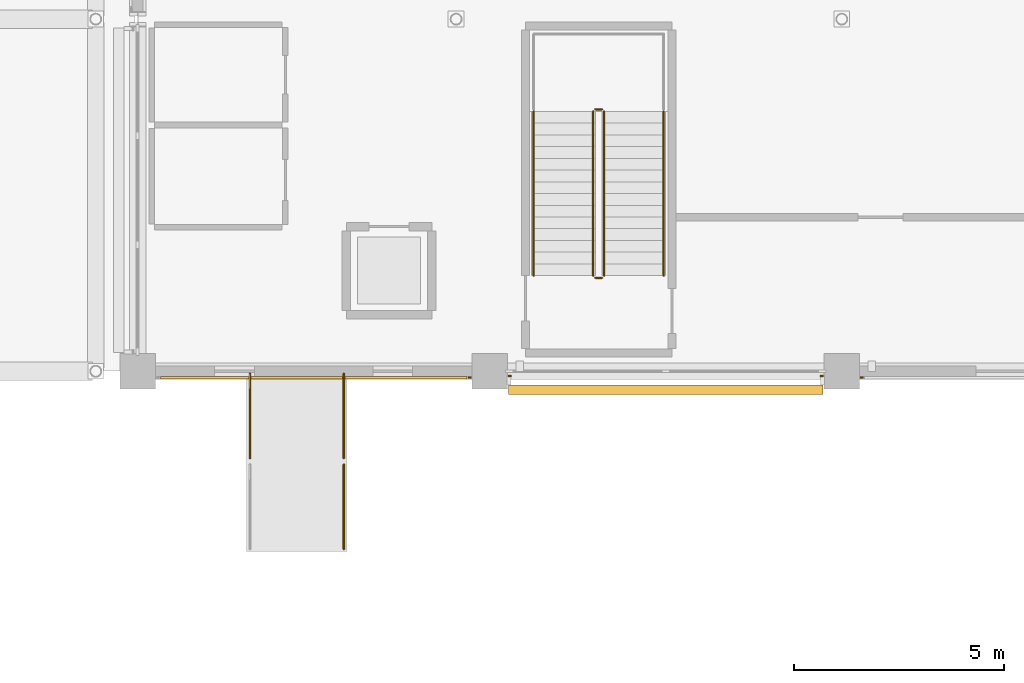
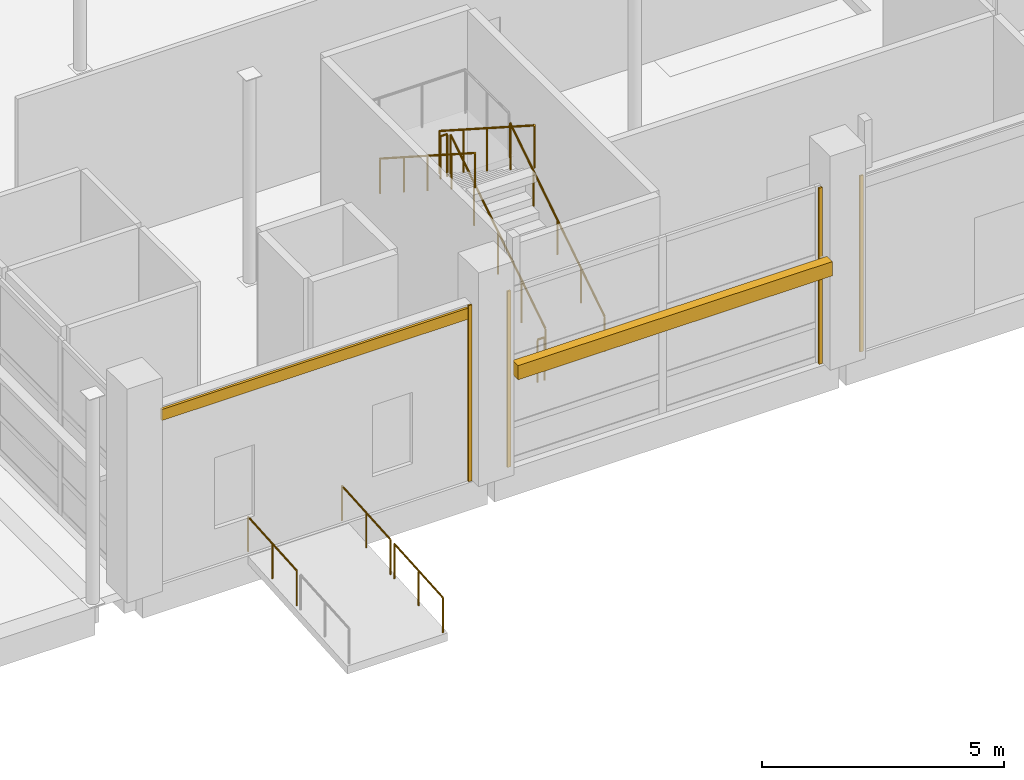
# One storey, part 117 of 140: 9 railings, 5 coverings, 1 shading device.
"""IFC4 building model written with IfcOpenShell, lengths in metres."""

from ifc_helpers import new_model, si_unit, direction, frame, origin, origin_2d, place, context, subcontext, project, spatial, rectangle, circle, extrude, material, layer, layer_set, type_object, element, save


model = new_model("IFC4")

# Units and contexts
model_context = context("Model", 3, precision=1e-05, world=origin(), true_north=direction((0.0, 1.0)))
body_context = subcontext(model_context, "Body", "Model", "MODEL_VIEW")
ifc_project = project(units=[si_unit("LENGTHUNIT", "METRE"), si_unit("AREAUNIT", "SQUARE_METRE"), si_unit("VOLUMEUNIT", "CUBIC_METRE"), si_unit("PLANEANGLEUNIT", "RADIAN"), si_unit("MASSUNIT", "GRAM", prefix="KILO")], contexts=[model_context])

# Site, building, storey
site_placement = place(None, origin())
site = spatial("IfcSite", under=ifc_project, at=site_placement, CompositionType="ELEMENT")
building_placement = place(site_placement, origin())
building = spatial("IfcBuilding", under=site, at=building_placement, Name="Telukmera Botanical Conservatory", CompositionType="ELEMENT")
storey_placement = place(building_placement, origin())
storey = spatial("IfcBuildingStorey", under=building, at=storey_placement, Name="L00", CompositionType="ELEMENT", Elevation=0.0)

# Railings
ifc_material_1 = material(Name="Brushed stainless steel grade 316", Category="steel")
railing_type_1 = type_object("IfcRailingType", Name="Accessible Boulevard Ramp Tubular Handrail 900", PredefinedType="HANDRAIL", material=ifc_material_1)
railing_1_placement = place(storey_placement, frame((120.280029296875, 15.530029296875, -0.144287109375)))
element("IfcRailing", 1, at=railing_1_placement, inside=storey, type_object=railing_type_1, Name="Conservatory West Accessible Approach Ramp Handrail W-HI", PredefinedType="HANDRAIL", context=body_context, shape_type="SweptSolid", body=[
    extrude(circle(Radius=0.02099609375, at=origin_2d()), frame((0.0, 0.0, 0.87890625), z_axis=(0.0, 0.997578425629, 0.069550591074), x_axis=(-1.0, 0.0, 0.0)), (0.0, 0.0, 1.0), 2.014892578125),
    extrude(circle(Radius=0.01904296875, at=origin_2d()), origin(), (0.0, 0.0, 1.0), 0.85791015625),
    extrude(circle(Radius=0.01904296875, at=origin_2d()), frame((0.0, 1.0048828125, 0.070068359375)), (0.0, 0.0, 1.0), 0.85791015625),
    extrude(circle(Radius=0.01904296875, at=origin_2d()), frame((0.0, 2.010009765625, 0.14013671875)), (0.0, 0.0, 1.0), 0.85791015625),
])
railing_2_placement = place(storey_placement, frame((122.52001953125, 13.360107421875, -0.2958984375)))
element("IfcRailing", 2, at=railing_2_placement, inside=storey, type_object=railing_type_1, Name="Conservatory West Accessible Approach Ramp Handrail E-LO", PredefinedType="HANDRAIL", context=body_context, shape_type="SweptSolid", body=[
    extrude(circle(Radius=0.02099609375, at=origin_2d()), frame((0.0, 0.0, 0.87890625), z_axis=(0.0, 0.997570011495, 0.0696711717), x_axis=(-1.0, 0.0, 0.0)), (0.0, 0.0, 1.0), 2.014892578125),
    extrude(circle(Radius=0.01904296875, at=origin_2d()), origin(), (0.0, 0.0, 1.0), 0.85791015625),
    extrude(circle(Radius=0.01904296875, at=origin_2d()), frame((0.0, 1.0048828125, 0.0703125)), (0.0, 0.0, 1.0), 0.85791015625),
    extrude(circle(Radius=0.01904296875, at=origin_2d()), frame((0.0, 2.010009765625, 0.140380859375)), (0.0, 0.0, 1.0), 0.85791015625),
])
railing_3_placement = place(storey_placement, frame((122.52001953125, 15.530029296875, -0.144287109375)))
element("IfcRailing", 3, at=railing_3_placement, inside=storey, type_object=railing_type_1, Name="Conservatory West Accessible Approach Ramp Handrail E-HI", PredefinedType="HANDRAIL", context=body_context, shape_type="SweptSolid", body=[
    extrude(circle(Radius=0.02099609375, at=origin_2d()), frame((0.0, 0.0, 0.87890625), z_axis=(0.0, 0.997578425629, 0.069550591074), x_axis=(-1.0, 0.0, 0.0)), (0.0, 0.0, 1.0), 2.014892578125),
    extrude(circle(Radius=0.01904296875, at=origin_2d()), origin(), (0.0, 0.0, 1.0), 0.85791015625),
    extrude(circle(Radius=0.01904296875, at=origin_2d()), frame((0.0, 1.0048828125, 0.070068359375)), (0.0, 0.0, 1.0), 0.85791015625),
    extrude(circle(Radius=0.01904296875, at=origin_2d()), frame((0.0, 2.010009765625, 0.14013671875)), (0.0, 0.0, 1.0), 0.85791015625),
])

# Coverings
ifc_material_2 = material(Name="Granite-faced precast concrete C40/50", Category="masonry")
ifc_layer_1 = layer(ifc_material_2, 0.0400390625)
ifc_layer_set_1 = layer_set([ifc_layer_1], Name="Granite-faced precast concrete C40/50")
covering_type_1 = type_object("IfcCoveringType", Name="Granite Precast Column Pier Reveal Casing", PredefinedType="CLADDING", material=ifc_layer_set_1)
for number, where, z_axis, x_axis, name in (
    (4, (125.52294921875, 17.449951171875, 0.0), (0.0, 0.0, 1.0), (1.0, 0.0, 0.0), "Granite Pier Reveal V1:L00:S1 R"),
    (5, (126.47705078125, 17.489990234375, 0.0), (0.0, 0.0, 1.0), (1.0, 0.0, 0.0), "Granite Pier Reveal V1:L00:S2 L"),
    (6, (133.923095703125, 17.489990234375, 0.0), (0.0, 0.0, 1.0), (1.0, 0.0, 0.0), "Granite Pier Reveal V1:L00:S2 R"),
    (7, (134.876953125, 17.449951171875, 0.0), (0.0, 0.0, 1.0), (1.0, 0.0, 0.0), "Granite Pier Reveal V1:L00:S3 L"),
):
    element("IfcCovering", number, at=place(storey_placement, frame(where, z_axis=z_axis, x_axis=x_axis)), inside=storey, type_object=covering_type_1, Name=name, PredefinedType="CLADDING", context=body_context, shape_type="SweptSolid", body=[
        extrude(rectangle(XDim=0.080078125, YDim=0.0400390625, at=origin_2d()), origin(), (0.0, 0.0, 1.0), 4.449951171875),
    ])

# Shading device
ifc_material_3 = material(Name="Perforated terracotta-anodised aluminium 6063-T6", Category="masonry")
ifc_layer_2 = layer(ifc_material_3, 0.050048828125)
ifc_layer_set_2 = layer_set([ifc_layer_2], Name="Perforated terracotta-anodised aluminium 6063-T6")
shading_device_type = type_object("IfcShadingDeviceType", Name="Operable Monsoon Solar Louvre Shutter Bank", PredefinedType="SHUTTER", material=ifc_layer_set_2)
shading_device_placement = place(storey_placement, frame((130.199951171875, 17.159912109375, 2.4697265625), z_axis=(0.0, 0.0, 1.0), x_axis=(1.0, 0.0, 0.0)))
element("IfcShadingDevice", 8, at=shading_device_placement, inside=storey, type_object=shading_device_type, Name="Monsoon Shading SH01 V1:L00:S2", PredefinedType="SHUTTER", context=body_context, shape_type="SweptSolid", body=[
    extrude(rectangle(XDim=7.506103515625, YDim=0.219970703125, at=origin_2d()), origin(), (0.0, 0.0, 1.0), 0.360107421875),
])

# Covering
ifc_material_4 = material(Name="Terracotta-faced precast concrete C40/50", Category="masonry")
ifc_layer_3 = layer(ifc_material_4, 0.06005859375)
ifc_layer_set_3 = layer_set([ifc_layer_3], Name="Terracotta-faced precast concrete C40/50")
covering_type_2 = type_object("IfcCoveringType", Name="Polychrome Terracotta Facade Band Cladding", PredefinedType="CLADDING", material=ifc_layer_set_3)
covering_placement = place(storey_placement, frame((121.800048828125, 17.43994140625, 4.1298828125), z_axis=(0.0, 0.0, 1.0), x_axis=(1.0, 0.0, 0.0)))
element("IfcCovering", 9, at=covering_placement, inside=storey, type_object=covering_type_2, Name="Polychrome Terracotta Band V1:L00:S1", PredefinedType="CLADDING", context=body_context, shape_type="SweptSolid", body=[
    extrude(rectangle(XDim=7.305908203125, YDim=0.06005859375, at=origin_2d()), origin(), (0.0, 0.0, 1.0), 0.280029296875),
])

# Railings
ifc_material_5 = material(Name="Steel S355", Category="steel")
railing_type_2 = type_object("IfcRailingType", Name="RL-GUARD-1100", PredefinedType="GUARDRAIL", material=ifc_material_5)
railing_4_placement = place(storey_placement, frame((128.72998046875, 19.8798828125, 0.179931640625)))
element("IfcRailing", 10, at=railing_4_placement, inside=storey, type_object=railing_type_2, Name="L00 ST5 stair guard 1", PredefinedType="GUARDRAIL", context=body_context, shape_type="SweptSolid", body=[
    extrude(circle(Radius=0.02392578125, at=origin_2d()), frame((0.0, 0.0, 1.076171875), z_axis=(0.0, 0.841186985886, 0.540744352514), x_axis=(-1.0, 0.0, 0.0)), (0.0, 0.0, 1.0), 4.660400390625),
    extrude(circle(Radius=0.02099609375, at=origin_2d()), origin(), (0.0, 0.0, 1.0), 1.052001953125),
    extrude(circle(Radius=0.02099609375, at=origin_2d()), frame((0.0, 0.97998046875, 0.6298828125)), (0.0, 0.0, 1.0), 1.052001953125),
    extrude(circle(Radius=0.02099609375, at=origin_2d()), frame((0.0, 1.9599609375, 1.260009765625)), (0.0, 0.0, 1.0), 1.052001953125),
    extrude(circle(Radius=0.02099609375, at=origin_2d()), frame((0.0, 2.940185546875, 1.89013671875)), (0.0, 0.0, 1.0), 1.052001953125),
    extrude(circle(Radius=0.02099609375, at=origin_2d()), frame((0.0, 3.920166015625, 2.52001953125)), (0.0, 0.0, 1.0), 1.052001953125),
])
railing_5_placement = place(storey_placement, frame((128.679931640625, 23.85009765625, 2.699951171875)))
element("IfcRailing", 11, at=railing_5_placement, inside=storey, type_object=railing_type_2, Name="L00 ST5 stair guard 2", PredefinedType="GUARDRAIL", context=body_context, shape_type="SweptSolid", body=[
    extrude(circle(Radius=0.02392578125, at=origin_2d()), frame((0.0, 0.0, 1.076171875), z_axis=(-1.0, 0.0, 0.0), x_axis=(0.0, -1.0, 0.0)), (0.0, 0.0, 1.0), 0.159912109375),
    extrude(circle(Radius=0.02099609375, at=origin_2d()), origin(), (0.0, 0.0, 1.0), 1.052001953125),
    extrude(circle(Radius=0.02099609375, at=origin_2d()), frame((-0.159912109375, 0.0, 0.0)), (0.0, 0.0, 1.0), 1.052001953125),
])
railing_6_placement = place(storey_placement, frame((128.469970703125, 23.800048828125, 2.8798828125)))
element("IfcRailing", 12, at=railing_6_placement, inside=storey, type_object=railing_type_2, Name="L00 ST5 stair guard 3", PredefinedType="GUARDRAIL", context=body_context, shape_type="SweptSolid", body=[
    extrude(circle(Radius=0.02392578125, at=origin_2d()), frame((0.0, 0.0, 1.076171875), z_axis=(0.0, -0.841186985886, 0.540744352514), x_axis=(1.0, 0.0, 0.0)), (0.0, 0.0, 1.0), 4.660400390625),
    extrude(circle(Radius=0.02099609375, at=origin_2d()), origin(), (0.0, 0.0, 1.0), 1.052001953125),
    extrude(circle(Radius=0.02099609375, at=origin_2d()), frame((0.0, -0.97998046875, 0.6298828125)), (0.0, 0.0, 1.0), 1.052001953125),
    extrude(circle(Radius=0.02099609375, at=origin_2d()), frame((0.0, -1.9599609375, 1.260009765625)), (0.0, 0.0, 1.0), 1.052001953125),
    extrude(circle(Radius=0.02099609375, at=origin_2d()), frame((0.0, -2.940185546875, 1.89013671875)), (0.0, 0.0, 1.0), 1.052001953125),
    extrude(circle(Radius=0.02099609375, at=origin_2d()), frame((0.0, -3.920166015625, 2.52001953125)), (0.0, 0.0, 1.0), 1.052001953125),
])
railing_7_placement = place(storey_placement, frame((128.679931640625, 19.830078125, 0.0)))
element("IfcRailing", 13, at=railing_7_placement, inside=storey, type_object=railing_type_2, Name="L00 ST5 stair guard 4", PredefinedType="GUARDRAIL", context=body_context, shape_type="SweptSolid", body=[
    extrude(circle(Radius=0.02392578125, at=origin_2d()), frame((0.0, 0.0, 1.076171875), z_axis=(-1.0, 0.0, 0.0), x_axis=(0.0, -1.0, 0.0)), (0.0, 0.0, 1.0), 0.159912109375),
    extrude(circle(Radius=0.02099609375, at=origin_2d()), origin(), (0.0, 0.0, 1.0), 1.052001953125),
    extrude(circle(Radius=0.02099609375, at=origin_2d()), frame((-0.159912109375, 0.0, 0.0)), (0.0, 0.0, 1.0), 1.052001953125),
])
ifc_material_6 = material(Name="Stainless steel 316", Category="steel")
railing_type_3 = type_object("IfcRailingType", Name="RL-HAND-900", PredefinedType="HANDRAIL", material=ifc_material_6)
railing_8_placement = place(storey_placement, frame((130.14990234375, 19.8798828125, 0.179931640625)))
element("IfcRailing", 14, at=railing_8_placement, inside=storey, type_object=railing_type_3, Name="L00 ST5 stair handrail 1", PredefinedType="HANDRAIL", context=body_context, shape_type="SweptSolid", body=[
    extrude(circle(Radius=0.02392578125, at=origin_2d()), frame((0.0, 0.0, 0.8759765625), z_axis=(0.0, 0.841186985886, 0.540744352514), x_axis=(-1.0, 0.0, 0.0)), (0.0, 0.0, 1.0), 4.660400390625),
    extrude(circle(Radius=0.02099609375, at=origin_2d()), origin(), (0.0, 0.0, 1.0), 0.851806640625),
    extrude(circle(Radius=0.02099609375, at=origin_2d()), frame((0.0, 0.97998046875, 0.6298828125)), (0.0, 0.0, 1.0), 0.851806640625),
    extrude(circle(Radius=0.02099609375, at=origin_2d()), frame((0.0, 1.9599609375, 1.260009765625)), (0.0, 0.0, 1.0), 0.851806640625),
    extrude(circle(Radius=0.02099609375, at=origin_2d()), frame((0.0, 2.940185546875, 1.89013671875)), (0.0, 0.0, 1.0), 0.851806640625),
    extrude(circle(Radius=0.02099609375, at=origin_2d()), frame((0.0, 3.920166015625, 2.52001953125)), (0.0, 0.0, 1.0), 0.851806640625),
])
railing_9_placement = place(storey_placement, frame((127.050048828125, 23.800048828125, 2.8798828125)))
element("IfcRailing", 15, at=railing_9_placement, inside=storey, type_object=railing_type_3, Name="L00 ST5 stair handrail 2", PredefinedType="HANDRAIL", context=body_context, shape_type="SweptSolid", body=[
    extrude(circle(Radius=0.02392578125, at=origin_2d()), frame((0.0, 0.0, 0.8759765625), z_axis=(0.0, -0.841186985886, 0.540744352514), x_axis=(1.0, 0.0, 0.0)), (0.0, 0.0, 1.0), 4.660400390625),
    extrude(circle(Radius=0.02099609375, at=origin_2d()), origin(), (0.0, 0.0, 1.0), 0.851806640625),
    extrude(circle(Radius=0.02099609375, at=origin_2d()), frame((0.0, -0.97998046875, 0.6298828125)), (0.0, 0.0, 1.0), 0.851806640625),
    extrude(circle(Radius=0.02099609375, at=origin_2d()), frame((0.0, -1.9599609375, 1.260009765625)), (0.0, 0.0, 1.0), 0.851806640625),
    extrude(circle(Radius=0.02099609375, at=origin_2d()), frame((0.0, -2.940185546875, 1.89013671875)), (0.0, 0.0, 1.0), 0.851806640625),
    extrude(circle(Radius=0.02099609375, at=origin_2d()), frame((0.0, -3.920166015625, 2.52001953125)), (0.0, 0.0, 1.0), 0.851806640625),
])

save(model, "model.ifc")
